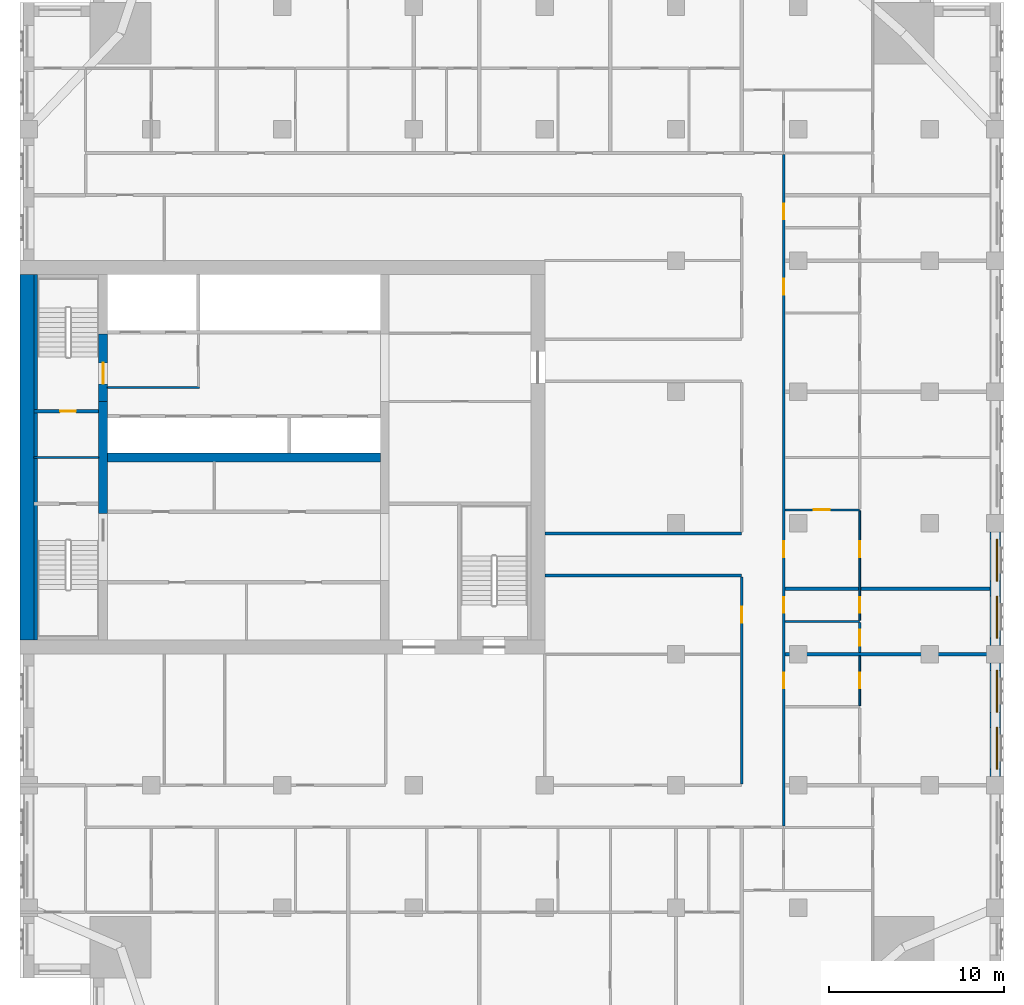
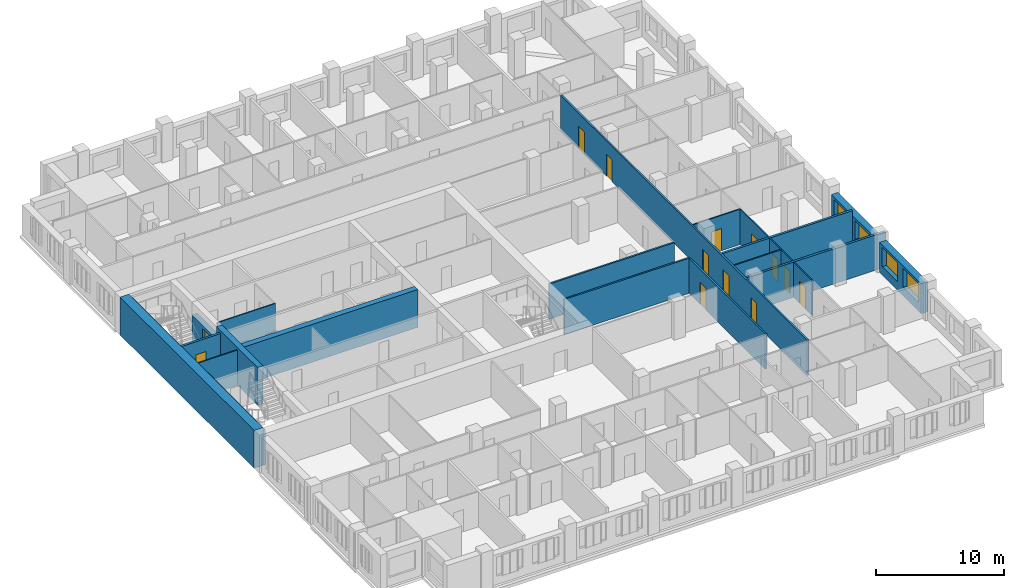
# One storey, part 7 of 14: 21 walls, 13 doors, 4 windows, 17 openings.
"""IFC4 building model written with IfcOpenShell, lengths in metres."""

from ifc_helpers import new_model, si_unit, direction, frame, frame_2d, origin, place, context, subcontext, project, spatial, rectangle, extrude, material, layer, layer_set, type_object, element, fill, save


model = new_model("IFC4")

# Units and contexts
model_context = context("Model", 3, precision=1e-05, world=origin(), true_north=direction((0.0, 1.0)))
body_context = subcontext(model_context, "Body", "Model", "MODEL_VIEW")
ifc_project = project(units=[si_unit("LENGTHUNIT", "METRE"), si_unit("AREAUNIT", "SQUARE_METRE"), si_unit("VOLUMEUNIT", "CUBIC_METRE"), si_unit("PLANEANGLEUNIT", "RADIAN"), si_unit("MASSUNIT", "GRAM", prefix="KILO")], contexts=[model_context])

# Site, building, storey
site_placement = place(None, origin())
site = spatial("IfcSite", under=ifc_project, at=site_placement, CompositionType="ELEMENT")
building_placement = place(site_placement, origin())
building = spatial("IfcBuilding", under=site, at=building_placement, Name="Tamorin Gate", CompositionType="ELEMENT")
storey_placement = place(building_placement, frame((0.0, 0.0, 148.199951171875)))
storey = spatial("IfcBuildingStorey", under=building, at=storey_placement, Name="L36", CompositionType="ELEMENT", Elevation=148.199951171875)

# Wall, openings, windows
ifc_material_1 = material(Name="Precast concrete C40/50", Category="concrete")
ifc_layer_1 = layer(ifc_material_1, 0.60009765625)
ifc_layer_set_1 = layer_set([ifc_layer_1], Name="Precast concrete C40/50")
wall_type_1 = type_object("IfcWallType", Name="Board-marked concrete facade panel 600", PredefinedType="SOLIDWALL", material=ifc_layer_set_1)
wall_1_placement = place(storey_placement, frame((85.75, 53.0, 0.0), z_axis=(0.0, 0.0, 1.0), x_axis=(0.0, 1.0, 0.0)))
wall_1 = element("IfcWall", 1, at=wall_1_placement, inside=storey, type_object=wall_type_1, Name="Facade panel", PredefinedType="SOLIDWALL", context=body_context, shape_type="SweptSolid", body=[
    extrude(rectangle(XDim=6.5, YDim=0.60009765625, at=frame_2d((3.25, 0.0))), origin(), (0.0, 0.0, 1.0), 2.85009765625),
])
opening_1_placement = place(wall_1_placement, frame((0.425048828125, 0.0, 0.800048828125)))
opening_1 = element("IfcOpeningElement", 2, at=opening_1_placement, cuts=wall_1, Name="Opening WN1", PredefinedType="OPENING", context=body_context, shape_type="SweptSolid", body=[
    extrude(rectangle(XDim=2.39990234375, YDim=1.800048828125, at=frame_2d((1.199951171875, 0.89990234375))), frame((0.0, 0.31005859375, 0.0), z_axis=(0.0, -1.0, 0.0), x_axis=(1.0, 0.0, 0.0)), (0.0, 0.0, 1.0), 0.6201171875),
])
opening_2_placement = place(wall_1_placement, frame((3.675048828125, 0.0, 0.800048828125)))
opening_2 = element("IfcOpeningElement", 3, at=opening_2_placement, cuts=wall_1, Name="Opening WN1", PredefinedType="OPENING", context=body_context, shape_type="SweptSolid", body=[
    extrude(rectangle(XDim=2.39990234375, YDim=1.800048828125, at=frame_2d((1.199951171875, 0.89990234375))), frame((0.0, 0.31005859375, 0.0), z_axis=(0.0, -1.0, 0.0), x_axis=(1.0, 0.0, 0.0)), (0.0, 0.0, 1.0), 0.6201171875),
])
ifc_material_2 = material(Name="Clear glass in aluminium frame", Category="aluminium")
window_type = type_object("IfcWindowType", Name="Deep-set window 2400x1800", PartitioningType="SINGLE_PANEL", PredefinedType="WINDOW", material=ifc_material_2)
window_1_placement = place(opening_1_placement, origin())
window_1 = element("IfcWindow", 4, at=window_1_placement, inside=storey, type_object=window_type, Name="Deep-set window", OverallHeight=1.800048828125, OverallWidth=2.39990234375, PartitioningType="SINGLE_PANEL", PredefinedType="WINDOW", context=body_context, shape_type="SweptSolid", body=[
    extrude(rectangle(XDim=2.39990234375, YDim=1.800048828125, at=frame_2d((1.199951171875, 0.89990234375))), frame((0.0, -0.070068359375, 0.0), z_axis=(0.0, -1.0, 0.0), x_axis=(1.0, 0.0, 0.0)), (0.0, 0.0, 1.0), 0.06005859375),
])
fill(opening_1, window_1)
window_2_placement = place(opening_2_placement, origin())
window_2 = element("IfcWindow", 5, at=window_2_placement, inside=storey, type_object=window_type, Name="Deep-set window", OverallHeight=1.800048828125, OverallWidth=2.39990234375, PartitioningType="SINGLE_PANEL", PredefinedType="WINDOW", context=body_context, shape_type="SweptSolid", body=[
    extrude(rectangle(XDim=2.39990234375, YDim=1.800048828125, at=frame_2d((1.199951171875, 0.89990234375))), frame((0.0, -0.070068359375, 0.0), z_axis=(0.0, -1.0, 0.0), x_axis=(1.0, 0.0, 0.0)), (0.0, 0.0, 1.0), 0.06005859375),
])
fill(opening_2, window_2)

wall_2_placement = place(storey_placement, frame((85.75, 60.5, 0.0), z_axis=(0.0, 0.0, 1.0), x_axis=(0.0, 1.0, 0.0)))
wall_2 = element("IfcWall", 6, at=wall_2_placement, inside=storey, type_object=wall_type_1, Name="Facade panel", PredefinedType="SOLIDWALL", context=body_context, shape_type="SweptSolid", body=[
    extrude(rectangle(XDim=6.5, YDim=0.60009765625, at=frame_2d((3.25, 0.0))), origin(), (0.0, 0.0, 1.0), 2.85009765625),
])
opening_3_placement = place(wall_2_placement, frame((0.425048828125, 0.0, 0.800048828125)))
opening_3 = element("IfcOpeningElement", 7, at=opening_3_placement, cuts=wall_2, Name="Opening WN1", PredefinedType="OPENING", context=body_context, shape_type="SweptSolid", body=[
    extrude(rectangle(XDim=2.39990234375, YDim=1.800048828125, at=frame_2d((1.199951171875, 0.89990234375))), frame((0.0, 0.31005859375, 0.0), z_axis=(0.0, -1.0, 0.0), x_axis=(1.0, 0.0, 0.0)), (0.0, 0.0, 1.0), 0.6201171875),
])
opening_4_placement = place(wall_2_placement, frame((3.675048828125, 0.0, 0.800048828125)))
opening_4 = element("IfcOpeningElement", 8, at=opening_4_placement, cuts=wall_2, Name="Opening WN1", PredefinedType="OPENING", context=body_context, shape_type="SweptSolid", body=[
    extrude(rectangle(XDim=2.39990234375, YDim=1.800048828125, at=frame_2d((1.199951171875, 0.89990234375))), frame((0.0, 0.31005859375, 0.0), z_axis=(0.0, -1.0, 0.0), x_axis=(1.0, 0.0, 0.0)), (0.0, 0.0, 1.0), 0.6201171875),
])
window_3_placement = place(opening_3_placement, origin())
window_3 = element("IfcWindow", 9, at=window_3_placement, inside=storey, type_object=window_type, Name="Deep-set window", OverallHeight=1.800048828125, OverallWidth=2.39990234375, PartitioningType="SINGLE_PANEL", PredefinedType="WINDOW", context=body_context, shape_type="SweptSolid", body=[
    extrude(rectangle(XDim=2.39990234375, YDim=1.800048828125, at=frame_2d((1.199951171875, 0.89990234375))), frame((0.0, -0.070068359375, 0.0), z_axis=(0.0, -1.0, 0.0), x_axis=(1.0, 0.0, 0.0)), (0.0, 0.0, 1.0), 0.06005859375),
])
fill(opening_3, window_3)
window_4_placement = place(opening_4_placement, origin())
window_4 = element("IfcWindow", 10, at=window_4_placement, inside=storey, type_object=window_type, Name="Deep-set window", OverallHeight=1.800048828125, OverallWidth=2.39990234375, PartitioningType="SINGLE_PANEL", PredefinedType="WINDOW", context=body_context, shape_type="SweptSolid", body=[
    extrude(rectangle(XDim=2.39990234375, YDim=1.800048828125, at=frame_2d((1.199951171875, 0.89990234375))), frame((0.0, -0.070068359375, 0.0), z_axis=(0.0, -1.0, 0.0), x_axis=(1.0, 0.0, 0.0)), (0.0, 0.0, 1.0), 0.06005859375),
])
fill(opening_4, window_4)

# Wall, opening, door
ifc_material_3 = material(Name="Gypsum board partition")
ifc_layer_2 = layer(ifc_material_3, 0.14990234375)
ifc_layer_set_2 = layer_set([ifc_layer_2], Name="Corridor wall 150")
wall_type_2 = type_object("IfcWallType", Name="Corridor wall 150", PredefinedType="PARTITIONING", material=ifc_layer_set_2)
wall_3_placement = place(storey_placement, frame((71.25, 52.574951171875, 0.0), z_axis=(0.0, 0.0, 1.0), x_axis=(0.0, 1.0, 0.0)))
wall_3 = element("IfcWall", 11, at=wall_3_placement, inside=storey, type_object=wall_type_2, Name="Corridor wall 150", PredefinedType="PARTITIONING", context=body_context, shape_type="SweptSolid", body=[
    extrude(rectangle(XDim=11.85009765625, YDim=0.14990234375, at=frame_2d((5.925048828125, 0.0))), origin(), (0.0, 0.0, 1.0), 3.35009765625),
])
opening_5_placement = place(wall_3_placement, frame((9.22509765625, 0.0, 0.0)))
opening_5 = element("IfcOpeningElement", 12, at=opening_5_placement, cuts=wall_3, Name="Opening DS2072", PredefinedType="OPENING", context=body_context, shape_type="SweptSolid", body=[
    extrude(rectangle(XDim=0.89990234375, YDim=2.10009765625, at=frame_2d((0.449951171875, 1.050048828125))), frame((0.0, 0.0849609375, 0.0), z_axis=(0.0, -1.0, 0.0), x_axis=(1.0, 0.0, 0.0)), (0.0, 0.0, 1.0), 0.169921875),
])
ifc_material_4 = material(Name="Timber door leaf", Category="wood")
door_type_1 = type_object("IfcDoorType", Name="Door 900 x 2100 FD30S", OperationType="NOTDEFINED", PredefinedType="DOOR", material=ifc_material_4)
door_1_placement = place(opening_5_placement, origin())
door_1 = element("IfcDoor", 13, at=door_1_placement, inside=storey, type_object=door_type_1, Name="Door DS2072", OperationType="SINGLE_SWING_LEFT", OverallHeight=2.10009765625, OverallWidth=0.89990234375, PredefinedType="DOOR", context=body_context, shape_type="SweptSolid", body=[
    extrude(rectangle(XDim=0.89990234375, YDim=2.10009765625, at=frame_2d((0.449951171875, 1.050048828125))), frame((0.0, 0.02490234375, 0.0), z_axis=(0.0, -1.0, 0.0), x_axis=(1.0, 0.0, 0.0)), (0.0, 0.0, 1.0), 0.050048828125),
])
fill(opening_5, door_1)

# Wall, openings, doors
wall_4_placement = place(storey_placement, frame((73.64990234375, 50.175048828125, 0.0), z_axis=(0.0, 0.0, 1.0), x_axis=(0.0, 1.0, 0.0)))
wall_4 = element("IfcWall", 14, at=wall_4_placement, inside=storey, type_object=wall_type_2, Name="Corridor wall 150", PredefinedType="PARTITIONING", context=body_context, shape_type="SweptSolid", body=[
    extrude(rectangle(XDim=38.39990234375, YDim=0.14990234375, at=frame_2d((19.199951171875, 0.0))), origin(), (0.0, 0.0, 1.0), 3.35009765625),
])
opening_6_placement = place(wall_4_placement, frame((7.875, 0.0, 0.0)))
opening_6 = element("IfcOpeningElement", 15, at=opening_6_placement, cuts=wall_4, Name="Opening DS2038", PredefinedType="OPENING", context=body_context, shape_type="SweptSolid", body=[
    extrude(rectangle(XDim=0.89990234375, YDim=2.10009765625, at=frame_2d((0.449951171875, 1.050048828125))), frame((0.0, 0.0849609375, 0.0), z_axis=(0.0, -1.0, 0.0), x_axis=(1.0, 0.0, 0.0)), (0.0, 0.0, 1.0), 0.169921875),
])
opening_7_placement = place(wall_4_placement, frame((12.1875, 0.0, 0.0)))
opening_7 = element("IfcOpeningElement", 16, at=opening_7_placement, cuts=wall_4, Name="Opening DS2041", PredefinedType="OPENING", context=body_context, shape_type="SweptSolid", body=[
    extrude(rectangle(XDim=0.89990234375, YDim=2.10009765625, at=frame_2d((0.449951171875, 1.050048828125))), frame((0.0, 0.0849609375, 0.0), z_axis=(0.0, -1.0, 0.0), x_axis=(1.0, 0.0, 0.0)), (0.0, 0.0, 1.0), 0.169921875),
])
opening_8_placement = place(wall_4_placement, frame((15.375, 0.0, 0.0)))
opening_8 = element("IfcOpeningElement", 17, at=opening_8_placement, cuts=wall_4, Name="Opening DS2043", PredefinedType="OPENING", context=body_context, shape_type="SweptSolid", body=[
    extrude(rectangle(XDim=0.89990234375, YDim=2.10009765625, at=frame_2d((0.449951171875, 1.050048828125))), frame((0.0, 0.0849609375, 0.0), z_axis=(0.0, -1.0, 0.0), x_axis=(1.0, 0.0, 0.0)), (0.0, 0.0, 1.0), 0.169921875),
])
opening_9_placement = place(wall_4_placement, frame((30.375, 0.0, 0.0)))
opening_9 = element("IfcOpeningElement", 18, at=opening_9_placement, cuts=wall_4, Name="Opening DS2049", PredefinedType="OPENING", context=body_context, shape_type="SweptSolid", body=[
    extrude(rectangle(XDim=0.89990234375, YDim=2.10009765625, at=frame_2d((0.449951171875, 1.050048828125))), frame((0.0, 0.0849609375, 0.0), z_axis=(0.0, -1.0, 0.0), x_axis=(1.0, 0.0, 0.0)), (0.0, 0.0, 1.0), 0.169921875),
])
opening_10_placement = place(wall_4_placement, frame((34.6875, 0.0, 0.0)))
opening_10 = element("IfcOpeningElement", 19, at=opening_10_placement, cuts=wall_4, Name="Opening DS2052", PredefinedType="OPENING", context=body_context, shape_type="SweptSolid", body=[
    extrude(rectangle(XDim=0.89990234375, YDim=2.10009765625, at=frame_2d((0.449951171875, 1.050048828125))), frame((0.0, 0.0849609375, 0.0), z_axis=(0.0, -1.0, 0.0), x_axis=(1.0, 0.0, 0.0)), (0.0, 0.0, 1.0), 0.169921875),
])
door_2_placement = place(opening_6_placement, origin())
door_2 = element("IfcDoor", 20, at=door_2_placement, inside=storey, type_object=door_type_1, Name="Door DS2038", OperationType="SINGLE_SWING_RIGHT", OverallHeight=2.10009765625, OverallWidth=0.89990234375, PredefinedType="DOOR", context=body_context, shape_type="SweptSolid", body=[
    extrude(rectangle(XDim=0.89990234375, YDim=2.10009765625, at=frame_2d((0.449951171875, 1.050048828125))), frame((0.0, 0.02490234375, 0.0), z_axis=(0.0, -1.0, 0.0), x_axis=(1.0, 0.0, 0.0)), (0.0, 0.0, 1.0), 0.050048828125),
])
fill(opening_6, door_2)
door_3_placement = place(opening_7_placement, origin())
door_3 = element("IfcDoor", 21, at=door_3_placement, inside=storey, type_object=door_type_1, Name="Door DS2041", OperationType="SINGLE_SWING_RIGHT", OverallHeight=2.10009765625, OverallWidth=0.89990234375, PredefinedType="DOOR", context=body_context, shape_type="SweptSolid", body=[
    extrude(rectangle(XDim=0.89990234375, YDim=2.10009765625, at=frame_2d((0.449951171875, 1.050048828125))), frame((0.0, 0.02490234375, 0.0), z_axis=(0.0, -1.0, 0.0), x_axis=(1.0, 0.0, 0.0)), (0.0, 0.0, 1.0), 0.050048828125),
])
fill(opening_7, door_3)
door_4_placement = place(opening_8_placement, origin())
door_4 = element("IfcDoor", 22, at=door_4_placement, inside=storey, type_object=door_type_1, Name="Door DS2043", OperationType="SINGLE_SWING_RIGHT", OverallHeight=2.10009765625, OverallWidth=0.89990234375, PredefinedType="DOOR", context=body_context, shape_type="SweptSolid", body=[
    extrude(rectangle(XDim=0.89990234375, YDim=2.10009765625, at=frame_2d((0.449951171875, 1.050048828125))), frame((0.0, 0.02490234375, 0.0), z_axis=(0.0, -1.0, 0.0), x_axis=(1.0, 0.0, 0.0)), (0.0, 0.0, 1.0), 0.050048828125),
])
fill(opening_8, door_4)
door_5_placement = place(opening_9_placement, origin())
door_5 = element("IfcDoor", 23, at=door_5_placement, inside=storey, type_object=door_type_1, Name="Door DS2049", OperationType="SINGLE_SWING_RIGHT", OverallHeight=2.10009765625, OverallWidth=0.89990234375, PredefinedType="DOOR", context=body_context, shape_type="SweptSolid", body=[
    extrude(rectangle(XDim=0.89990234375, YDim=2.10009765625, at=frame_2d((0.449951171875, 1.050048828125))), frame((0.0, 0.02490234375, 0.0), z_axis=(0.0, -1.0, 0.0), x_axis=(1.0, 0.0, 0.0)), (0.0, 0.0, 1.0), 0.050048828125),
])
fill(opening_9, door_5)
door_6_placement = place(opening_10_placement, origin())
door_6 = element("IfcDoor", 24, at=door_6_placement, inside=storey, type_object=door_type_1, Name="Door DS2052", OperationType="SINGLE_SWING_RIGHT", OverallHeight=2.10009765625, OverallWidth=0.89990234375, PredefinedType="DOOR", context=body_context, shape_type="SweptSolid", body=[
    extrude(rectangle(XDim=0.89990234375, YDim=2.10009765625, at=frame_2d((0.449951171875, 1.050048828125))), frame((0.0, 0.02490234375, 0.0), z_axis=(0.0, -1.0, 0.0), x_axis=(1.0, 0.0, 0.0)), (0.0, 0.0, 1.0), 0.050048828125),
])
fill(opening_10, door_6)

# Walls
ifc_layer_3 = layer(ifc_material_3, 0.199951171875)
ifc_layer_set_3 = layer_set([ifc_layer_3], Name="Demising wall 200")
wall_type_3 = type_object("IfcWallType", Name="Demising wall 200", PredefinedType="PARTITIONING", material=ifc_layer_set_3)
wall_5_placement = place(storey_placement, frame((73.72509765625, 60.0, 0.0), z_axis=(0.0, 0.0, 1.0), x_axis=(1.0, 0.0, 0.0)))
element("IfcWall", 25, at=wall_5_placement, inside=storey, type_object=wall_type_3, Name="Demising wall 200", PredefinedType="PARTITIONING", context=body_context, shape_type="SweptSolid", body=[
    extrude(rectangle(XDim=12.52490234375, YDim=0.199951171875, at=frame_2d((6.262451171875, 0.0))), origin(), (0.0, 0.0, 1.0), 3.35009765625),
])
wall_6_placement = place(storey_placement, frame((73.72509765625, 63.75, 0.0), z_axis=(0.0, 0.0, 1.0), x_axis=(1.0, 0.0, 0.0)))
element("IfcWall", 26, at=wall_6_placement, inside=storey, type_object=wall_type_3, Name="Demising wall 200", PredefinedType="PARTITIONING", context=body_context, shape_type="SweptSolid", body=[
    extrude(rectangle(XDim=11.71484375, YDim=0.199951171875, at=frame_2d((5.857421875, 0.0))), origin(), (0.0, 0.0, 1.0), 3.35009765625),
])
ifc_material_5 = material(Name="Fire-rated gypsum board partition")
ifc_layer_4 = layer(ifc_material_5, 0.10009765625)
ifc_layer_set_4 = layer_set([ifc_layer_4], Name="Lobby wall 100 EI 60")
wall_type_4 = type_object("IfcWallType", Name="Lobby wall 100 EI 60", PredefinedType="PARTITIONING", material=ifc_layer_set_4)
wall_7_placement = place(storey_placement, frame((35.0, 75.25, 0.0), z_axis=(0.0, 0.0, 1.0), x_axis=(1.0, 0.0, 0.0)))
element("IfcWall", 27, at=wall_7_placement, inside=storey, type_object=wall_type_4, Name="Firefighting lobby wall", PredefinedType="PARTITIONING", context=body_context, shape_type="SweptSolid", body=[
    extrude(rectangle(XDim=5.25, YDim=0.10009765625, at=frame_2d((2.625, 0.0))), origin(), (0.0, 0.0, 1.0), 3.35009765625),
])
ifc_layer_5 = layer(ifc_material_3, 0.14990234375)
ifc_layer_set_5 = layer_set([ifc_layer_5], Name="Lobby wall 150")
wall_type_5 = type_object("IfcWallType", Name="Lobby wall 150", PredefinedType="PARTITIONING", material=ifc_layer_set_5)
for number, where, z_axis, x_axis, name in (
    (28, (60.0, 64.5, 0.0), (0.0, 0.0, 1.0), (1.0, 0.0, 0.0), "Lobby wall 150"),
    (29, (60.0, 66.89990234375, 0.0), (0.0, 0.0, 1.0), (1.0, 0.0, 0.0), "Lobby wall 150"),
):
    element("IfcWall", number, at=place(storey_placement, frame(where, z_axis=z_axis, x_axis=x_axis)), inside=storey, type_object=wall_type_5, Name=name, PredefinedType="PARTITIONING", context=body_context, shape_type="SweptSolid", body=[
        extrude(rectangle(XDim=11.25, YDim=0.14990234375, at=frame_2d((5.625, 0.0))), origin(), (0.0, 0.0, 1.0), 3.35009765625),
    ])
ifc_material_6 = material(Name="Concrete C60/75", Category="concrete")
ifc_layer_6 = layer(ifc_material_6, 0.5)
ifc_layer_set_6 = layer_set([ifc_layer_6], Name="RC core internal wall 500 C60/75")
wall_type_6 = type_object("IfcWallType", Name="RC core internal wall 500 C60/75", PredefinedType="SHEAR", material=ifc_layer_set_6)
wall_8_placement = place(storey_placement, frame((35.0, 71.25, 0.0), z_axis=(0.0, 0.0, 1.0), x_axis=(1.0, 0.0, 0.0)))
element("IfcWall", 30, at=wall_8_placement, inside=storey, type_object=wall_type_6, Name="Core spine wall L36", PredefinedType="SHEAR", context=body_context, shape_type="SweptSolid", body=[
    extrude(rectangle(XDim=15.60009765625, YDim=0.5, at=frame_2d((7.800048828125, 0.0))), origin(), (0.0, 0.0, 1.0), 3.60009765625),
])
wall_9_placement = place(storey_placement, frame((34.75, 68.050048828125, 0.0), z_axis=(0.0, 0.0, 1.0), x_axis=(0.0, 1.0, 0.0)))
element("IfcWall", 31, at=wall_9_placement, inside=storey, type_object=wall_type_6, Name="Core cross wall L36", PredefinedType="SHEAR", context=body_context, shape_type="SweptSolid", body=[
    extrude(rectangle(XDim=6.39990234375, YDim=0.5, at=frame_2d((3.199951171875, 0.0))), origin(), (0.0, 0.0, 1.0), 3.60009765625),
])
ifc_layer_7 = layer(ifc_material_6, 0.800048828125)
ifc_layer_set_7 = layer_set([ifc_layer_7], Name="RC core wall 800 C60/75")
wall_type_7 = type_object("IfcWallType", Name="RC core wall 800 C60/75", PredefinedType="SHEAR", material=ifc_layer_set_7)
wall_10_placement = place(storey_placement, frame((30.39990234375, 60.800048828125, 0.0), z_axis=(0.0, 0.0, 1.0), x_axis=(0.0, 1.0, 0.0)))
element("IfcWall", 32, at=wall_10_placement, inside=storey, type_object=wall_type_7, Name="Core wall L36", PredefinedType="SHEAR", context=body_context, shape_type="SweptSolid", body=[
    extrude(rectangle(XDim=20.89990234375, YDim=0.800048828125, at=frame_2d((10.449951171875, 0.0))), origin(), (0.0, 0.0, 1.0), 3.60009765625),
])
ifc_layer_8 = layer(ifc_material_5, 0.10009765625)
ifc_layer_set_8 = layer_set([ifc_layer_8], Name="Riser partition 100 EI 120")
wall_type_8 = type_object("IfcWallType", Name="Riser partition 100 EI 120", PredefinedType="PARTITIONING", material=ifc_layer_set_8)
wall_11_placement = place(storey_placement, frame((30.800048828125, 71.25, 0.0), z_axis=(0.0, 0.0, 1.0), x_axis=(1.0, 0.0, 0.0)))
element("IfcWall", 33, at=wall_11_placement, inside=storey, type_object=wall_type_8, Name="Riser partition", PredefinedType="PARTITIONING", context=body_context, shape_type="SweptSolid", body=[
    extrude(rectangle(XDim=3.699951171875, YDim=0.10009765625, at=frame_2d((1.85009765625, 0.0))), origin(), (0.0, 0.0, 1.0), 3.35009765625),
])

# Wall, opening, door
ifc_layer_9 = layer(ifc_material_3, 0.10009765625)
ifc_layer_set_9 = layer_set([ifc_layer_9], Name="Room partition 100")
wall_type_9 = type_object("IfcWallType", Name="Room partition 100", PredefinedType="PARTITIONING", material=ifc_layer_set_9)
wall_12_placement = place(storey_placement, frame((78.0, 57.0625, 0.0), z_axis=(0.0, 0.0, 1.0), x_axis=(0.0, 1.0, 0.0)))
wall_12 = element("IfcWall", 34, at=wall_12_placement, inside=storey, type_object=wall_type_9, Name="Room partition 100", PredefinedType="PARTITIONING", context=body_context, shape_type="SweptSolid", body=[
    extrude(rectangle(XDim=2.83740234375, YDim=0.10009765625, at=frame_2d((1.418701171875, 0.0))), origin(), (0.0, 0.0, 1.0), 3.35009765625),
])
opening_11_placement = place(wall_12_placement, frame((0.987548828125, 0.0, 0.0)))
opening_11 = element("IfcOpeningElement", 35, at=opening_11_placement, cuts=wall_12, Name="Opening DS2039", PredefinedType="OPENING", context=body_context, shape_type="SweptSolid", body=[
    extrude(rectangle(XDim=0.89990234375, YDim=2.10009765625, at=frame_2d((0.449951171875, 1.050048828125))), frame((0.0, 0.06005859375, 0.0), z_axis=(0.0, -1.0, 0.0), x_axis=(1.0, 0.0, 0.0)), (0.0, 0.0, 1.0), 0.1201171875),
])
door_type_2 = type_object("IfcDoorType", Name="Door 900 x 2100", OperationType="NOTDEFINED", PredefinedType="DOOR", material=ifc_material_4)
door_7_placement = place(opening_11_placement, origin())
door_7 = element("IfcDoor", 36, at=door_7_placement, inside=storey, type_object=door_type_2, Name="Door DS2039", OperationType="SINGLE_SWING_LEFT", OverallHeight=2.10009765625, OverallWidth=0.89990234375, PredefinedType="DOOR", context=body_context, shape_type="SweptSolid", body=[
    extrude(rectangle(XDim=0.89990234375, YDim=2.10009765625, at=frame_2d((0.449951171875, 1.050048828125))), frame((0.0, 0.02490234375, 0.0), z_axis=(0.0, -1.0, 0.0), x_axis=(1.0, 0.0, 0.0)), (0.0, 0.0, 1.0), 0.050048828125),
])
fill(opening_11, door_7)

# Wall, openings, doors
wall_13_placement = place(storey_placement, frame((78.0, 61.9375, 0.0), z_axis=(0.0, 0.0, 1.0), x_axis=(0.0, 1.0, 0.0)))
wall_13 = element("IfcWall", 37, at=wall_13_placement, inside=storey, type_object=wall_type_9, Name="Room partition 100", PredefinedType="PARTITIONING", context=body_context, shape_type="SweptSolid", body=[
    extrude(rectangle(XDim=6.25, YDim=0.10009765625, at=frame_2d((3.125, 0.0))), origin(), (0.0, 0.0, 1.0), 3.35009765625),
])
opening_12_placement = place(wall_13_placement, frame((0.425048828125, 0.0, 0.0)))
opening_12 = element("IfcOpeningElement", 38, at=opening_12_placement, cuts=wall_13, Name="Opening DS2042", PredefinedType="OPENING", context=body_context, shape_type="SweptSolid", body=[
    extrude(rectangle(XDim=0.89990234375, YDim=2.10009765625, at=frame_2d((0.449951171875, 1.050048828125))), frame((0.0, 0.06005859375, 0.0), z_axis=(0.0, -1.0, 0.0), x_axis=(1.0, 0.0, 0.0)), (0.0, 0.0, 1.0), 0.1201171875),
])
opening_13_placement = place(wall_13_placement, frame((3.612548828125, 0.0, 0.0)))
opening_13 = element("IfcOpeningElement", 39, at=opening_13_placement, cuts=wall_13, Name="Opening DS2044", PredefinedType="OPENING", context=body_context, shape_type="SweptSolid", body=[
    extrude(rectangle(XDim=0.89990234375, YDim=2.10009765625, at=frame_2d((0.449951171875, 1.050048828125))), frame((0.0, 0.06005859375, 0.0), z_axis=(0.0, -1.0, 0.0), x_axis=(1.0, 0.0, 0.0)), (0.0, 0.0, 1.0), 0.1201171875),
])
door_8_placement = place(opening_12_placement, origin())
door_8 = element("IfcDoor", 40, at=door_8_placement, inside=storey, type_object=door_type_2, Name="Door DS2042", OperationType="SINGLE_SWING_LEFT", OverallHeight=2.10009765625, OverallWidth=0.89990234375, PredefinedType="DOOR", context=body_context, shape_type="SweptSolid", body=[
    extrude(rectangle(XDim=0.89990234375, YDim=2.10009765625, at=frame_2d((0.449951171875, 1.050048828125))), frame((0.0, 0.02490234375, 0.0), z_axis=(0.0, -1.0, 0.0), x_axis=(1.0, 0.0, 0.0)), (0.0, 0.0, 1.0), 0.050048828125),
])
fill(opening_12, door_8)
door_9_placement = place(opening_13_placement, origin())
door_9 = element("IfcDoor", 41, at=door_9_placement, inside=storey, type_object=door_type_2, Name="Door DS2044", OperationType="SINGLE_SWING_LEFT", OverallHeight=2.10009765625, OverallWidth=0.89990234375, PredefinedType="DOOR", context=body_context, shape_type="SweptSolid", body=[
    extrude(rectangle(XDim=0.89990234375, YDim=2.10009765625, at=frame_2d((0.449951171875, 1.050048828125))), frame((0.0, 0.02490234375, 0.0), z_axis=(0.0, -1.0, 0.0), x_axis=(1.0, 0.0, 0.0)), (0.0, 0.0, 1.0), 0.050048828125),
])
fill(opening_13, door_9)

# Wall, opening, door
ifc_material_7 = material(Name="Concrete C40/50", Category="concrete")
ifc_layer_10 = layer(ifc_material_7, 0.199951171875)
ifc_layer_set_10 = layer_set([ifc_layer_10], Name="Stair enclosure wall 200 EI 120 C40/50")
wall_type_10 = type_object("IfcWallType", Name="Stair enclosure wall 200 EI 120 C40/50", PredefinedType="SOLIDWALL", material=ifc_layer_set_10)
wall_14_placement = place(storey_placement, frame((30.800048828125, 73.89990234375, 0.0), z_axis=(0.0, 0.0, 1.0), x_axis=(1.0, 0.0, 0.0)))
wall_14 = element("IfcWall", 42, at=wall_14_placement, inside=storey, type_object=wall_type_10, Name="Stair enclosure wall", PredefinedType="SOLIDWALL", context=body_context, shape_type="SweptSolid", body=[
    extrude(rectangle(XDim=3.699951171875, YDim=0.199951171875, at=frame_2d((1.85009765625, 0.0))), origin(), (0.0, 0.0, 1.0), 3.35009765625),
])
opening_14_placement = place(wall_14_placement, frame((1.5, 0.0, 0.0)))
opening_14 = element("IfcOpeningElement", 43, at=opening_14_placement, cuts=wall_14, Name="Opening DR1", PredefinedType="OPENING", context=body_context, shape_type="SweptSolid", body=[
    extrude(rectangle(XDim=0.89990234375, YDim=2.10009765625, at=frame_2d((0.449951171875, 1.050048828125))), frame((0.0, 0.10986328125, 0.0), z_axis=(0.0, -1.0, 0.0), x_axis=(1.0, 0.0, 0.0)), (0.0, 0.0, 1.0), 0.219970703125),
])
ifc_material_8 = material(Name="Steel fire door", Category="steel")
door_type_3 = type_object("IfcDoorType", Name="Riser access door 900 x 2100 EI 120", OperationType="SINGLE_SWING_LEFT", PredefinedType="DOOR", material=ifc_material_8)
door_10_placement = place(opening_14_placement, origin())
door_10 = element("IfcDoor", 44, at=door_10_placement, inside=storey, type_object=door_type_3, Name="Communications riser door", OperationType="SINGLE_SWING_RIGHT", OverallHeight=2.10009765625, OverallWidth=0.89990234375, PredefinedType="DOOR", context=body_context, shape_type="SweptSolid", body=[
    extrude(rectangle(XDim=0.89990234375, YDim=2.10009765625, at=frame_2d((0.449951171875, 1.050048828125))), frame((0.0, 0.02490234375, 0.0), z_axis=(0.0, -1.0, 0.0), x_axis=(1.0, 0.0, 0.0)), (0.0, 0.0, 1.0), 0.050048828125),
])
fill(opening_14, door_10)

# Wall
ifc_layer_11 = layer(ifc_material_6, 0.199951171875)
ifc_layer_set_11 = layer_set([ifc_layer_11], Name="Stair lining wall 200 EI 120 C60/75")
wall_type_11 = type_object("IfcWallType", Name="Stair lining wall 200 EI 120 C60/75", PredefinedType="SOLIDWALL", material=ifc_layer_set_11)
wall_15_placement = place(storey_placement, frame((30.89990234375, 60.800048828125, 0.0), z_axis=(0.0, 0.0, 1.0), x_axis=(0.0, 1.0, 0.0)))
element("IfcWall", 45, at=wall_15_placement, inside=storey, type_object=wall_type_11, Name="Stair lining wall", PredefinedType="SOLIDWALL", context=body_context, shape_type="SweptSolid", body=[
    extrude(rectangle(XDim=20.89990234375, YDim=0.199951171875, at=frame_2d((10.449951171875, 0.0))), origin(), (0.0, 0.0, 1.0), 3.35009765625),
])

# Wall, opening, door
ifc_material_9 = material(Name="Concrete C32/40", Category="concrete")
ifc_layer_12 = layer(ifc_material_9, 0.5)
ifc_layer_set_12 = layer_set([ifc_layer_12], Name="Stair lobby infill wall 500 EI 120")
wall_type_12 = type_object("IfcWallType", Name="Stair lobby infill wall 500 EI 120", PredefinedType="SOLIDWALL", material=ifc_layer_set_12)
wall_16_placement = place(storey_placement, frame((34.75, 74.449951171875, 0.0), z_axis=(0.0, 0.0, 1.0), x_axis=(0.0, 1.0, 0.0)))
wall_16 = element("IfcWall", 46, at=wall_16_placement, inside=storey, type_object=wall_type_12, Name="Stair lobby infill wall", PredefinedType="SOLIDWALL", context=body_context, shape_type="SweptSolid", body=[
    extrude(rectangle(XDim=3.85009765625, YDim=0.5, at=frame_2d((1.925048828125, 0.0))), origin(), (0.0, 0.0, 1.0), 2.400146484375),
])
opening_15_placement = place(wall_16_placement, frame((1.0, 0.0, 0.0)))
opening_15 = element("IfcOpeningElement", 47, at=opening_15_placement, cuts=wall_16, Name="Opening DS1", PredefinedType="OPENING", context=body_context, shape_type="SweptSolid", body=[
    extrude(rectangle(XDim=1.199951171875, YDim=2.10009765625, at=frame_2d((0.60009765625, 1.050048828125))), frame((0.0, 0.260009765625, 0.0), z_axis=(0.0, -1.0, 0.0), x_axis=(1.0, 0.0, 0.0)), (0.0, 0.0, 1.0), 0.52001953125),
])
door_type_4 = type_object("IfcDoorType", Name="Stair door 1200 x 2100 EI 90", OperationType="SINGLE_SWING_LEFT", PredefinedType="DOOR", material=ifc_material_8)
door_11_placement = place(opening_15_placement, origin())
door_11 = element("IfcDoor", 48, at=door_11_placement, inside=storey, type_object=door_type_4, Name="ST2 door", OperationType="SINGLE_SWING_RIGHT", OverallHeight=2.10009765625, OverallWidth=1.199951171875, PredefinedType="DOOR", context=body_context, shape_type="SweptSolid", body=[
    extrude(rectangle(XDim=1.199951171875, YDim=2.10009765625, at=frame_2d((0.60009765625, 1.050048828125))), frame((0.0, 0.02490234375, 0.0), z_axis=(0.0, -1.0, 0.0), x_axis=(1.0, 0.0, 0.0)), (0.0, 0.0, 1.0), 0.050048828125),
])
fill(opening_15, door_11)

# Wall
ifc_layer_13 = layer(ifc_material_3, 0.125)
ifc_layer_set_13 = layer_set([ifc_layer_13], Name="Wet wall 125")
wall_type_13 = type_object("IfcWallType", Name="Wet wall 125", PredefinedType="PARTITIONING", material=ifc_layer_set_13)
wall_17_placement = place(storey_placement, frame((73.72509765625, 61.875, 0.0), z_axis=(0.0, 0.0, 1.0), x_axis=(1.0, 0.0, 0.0)))
element("IfcWall", 49, at=wall_17_placement, inside=storey, type_object=wall_type_13, Name="Wet wall 125", PredefinedType="PARTITIONING", context=body_context, shape_type="SweptSolid", body=[
    extrude(rectangle(XDim=4.27490234375, YDim=0.125, at=frame_2d((2.137451171875, 0.0))), origin(), (0.0, 0.0, 1.0), 3.35009765625),
])

# Wall, opening, door
wall_18_placement = place(storey_placement, frame((73.72509765625, 68.25, 0.0), z_axis=(0.0, 0.0, 1.0), x_axis=(1.0, 0.0, 0.0)))
wall_18 = element("IfcWall", 50, at=wall_18_placement, inside=storey, type_object=wall_type_13, Name="Wet wall 125", PredefinedType="PARTITIONING", context=body_context, shape_type="SweptSolid", body=[
    extrude(rectangle(XDim=4.27490234375, YDim=0.125, at=frame_2d((2.137451171875, 0.0))), origin(), (0.0, 0.0, 1.0), 3.35009765625),
])
opening_16_placement = place(wall_18_placement, frame((1.64990234375, 0.0, 0.0)))
opening_16 = element("IfcOpeningElement", 51, at=opening_16_placement, cuts=wall_18, Name="Opening DS2045", PredefinedType="OPENING", context=body_context, shape_type="SweptSolid", body=[
    extrude(rectangle(XDim=0.89990234375, YDim=2.10009765625, at=frame_2d((0.449951171875, 1.050048828125))), frame((0.0, 0.072509765625, 0.0), z_axis=(0.0, -1.0, 0.0), x_axis=(1.0, 0.0, 0.0)), (0.0, 0.0, 1.0), 0.14501953125),
])
door_12_placement = place(opening_16_placement, origin())
door_12 = element("IfcDoor", 52, at=door_12_placement, inside=storey, type_object=door_type_2, Name="Door DS2045", OperationType="SINGLE_SWING_RIGHT", OverallHeight=2.10009765625, OverallWidth=0.89990234375, PredefinedType="DOOR", context=body_context, shape_type="SweptSolid", body=[
    extrude(rectangle(XDim=0.89990234375, YDim=2.10009765625, at=frame_2d((0.449951171875, 1.050048828125))), frame((0.0, 0.02490234375, 0.0), z_axis=(0.0, -1.0, 0.0), x_axis=(1.0, 0.0, 0.0)), (0.0, 0.0, 1.0), 0.050048828125),
])
fill(opening_16, door_12)

wall_19_placement = place(storey_placement, frame((78.0, 60.10009765625, 0.0), z_axis=(0.0, 0.0, 1.0), x_axis=(0.0, 1.0, 0.0)))
wall_19 = element("IfcWall", 53, at=wall_19_placement, inside=storey, type_object=wall_type_13, Name="Wet wall 125", PredefinedType="PARTITIONING", context=body_context, shape_type="SweptSolid", body=[
    extrude(rectangle(XDim=1.71240234375, YDim=0.125, at=frame_2d((0.856201171875, 0.0))), origin(), (0.0, 0.0, 1.0), 3.35009765625),
])
opening_17_placement = place(wall_19_placement, frame((0.387451171875, 0.0, 0.0)))
opening_17 = element("IfcOpeningElement", 54, at=opening_17_placement, cuts=wall_19, Name="Opening DS2040", PredefinedType="OPENING", context=body_context, shape_type="SweptSolid", body=[
    extrude(rectangle(XDim=0.89990234375, YDim=2.10009765625, at=frame_2d((0.449951171875, 1.050048828125))), frame((0.0, 0.072509765625, 0.0), z_axis=(0.0, -1.0, 0.0), x_axis=(1.0, 0.0, 0.0)), (0.0, 0.0, 1.0), 0.14501953125),
])
door_13_placement = place(opening_17_placement, origin())
door_13 = element("IfcDoor", 55, at=door_13_placement, inside=storey, type_object=door_type_2, Name="Door DS2040", OperationType="SINGLE_SWING_LEFT", OverallHeight=2.10009765625, OverallWidth=0.89990234375, PredefinedType="DOOR", context=body_context, shape_type="SweptSolid", body=[
    extrude(rectangle(XDim=0.89990234375, YDim=2.10009765625, at=frame_2d((0.449951171875, 1.050048828125))), frame((0.0, 0.02490234375, 0.0), z_axis=(0.0, -1.0, 0.0), x_axis=(1.0, 0.0, 0.0)), (0.0, 0.0, 1.0), 0.050048828125),
])
fill(opening_17, door_13)

save(model, "model.ifc")
